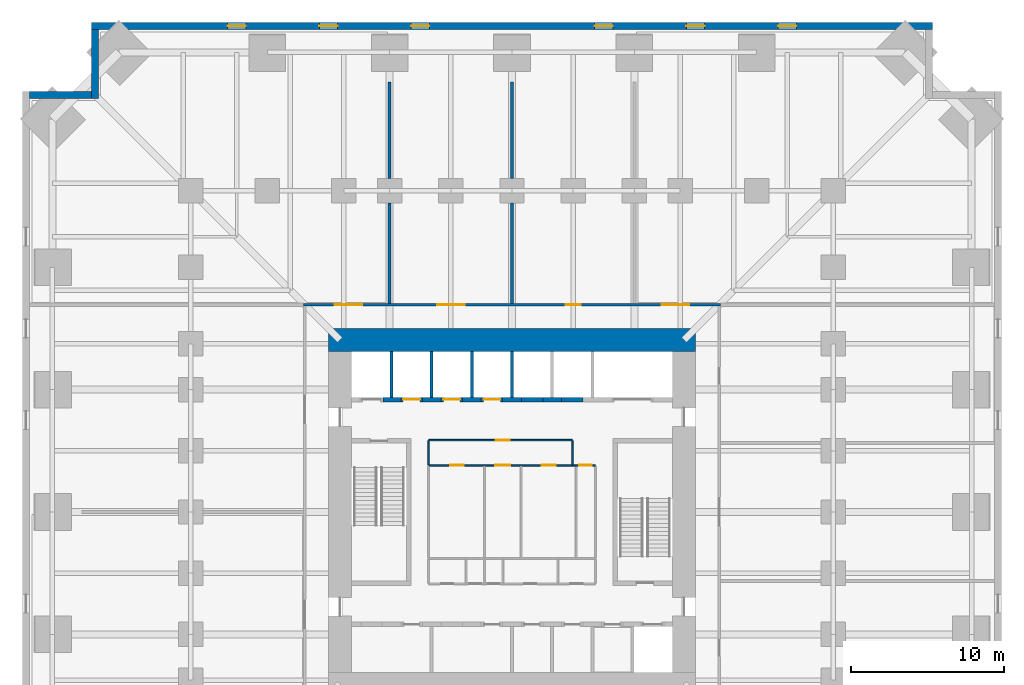
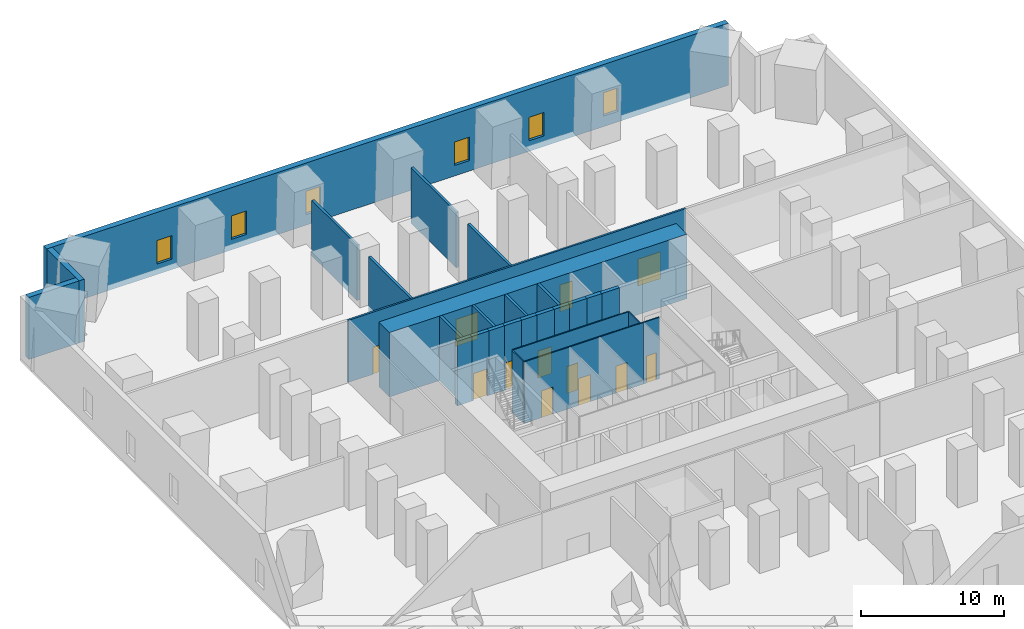
# One storey, part 6 of 8: 28 walls, 12 doors, 6 windows, 18 openings.
"""IFC4 building model written with IfcOpenShell, lengths in metres."""

import ifcopenshell
import ifcopenshell.guid

model = None  # the IFC model being written
_history = None  # IfcOwnerHistory: only IFC2X3 demands one
_inside = {}  # id of a spatial element -> (the spatial element, [elements in it])
_under = {}  # id of a project, library or spatial element -> (it, [spatial elements below it])
_declared = {}  # id of a project -> (the project, [libraries it declares])
_typed = {}  # id of a type object -> (the type object, [elements of that type])
_made_of = {}  # id of a material, layer set ... -> (it, [elements and type objects made of it])


def new_model(schema):
    """Start an empty IFC model of exactly this schema.

    Asked for "IFC4X3", IfcOpenShell would pick the latest addendum, in which some entities
    have other attributes; the version numbers below select the first issue.
    IFC2X3 requires an IfcOwnerHistory on every rooted entity: one is made here for all.
    """
    global model, _history
    if schema == "IFC4X3":
        model = ifcopenshell.file(schema_version=(4, 3, 0, 0))
    else:
        model = ifcopenshell.file(schema=schema)
    _inside.clear()
    _under.clear()
    _declared.clear()
    _typed.clear()
    _made_of.clear()
    _history = None
    if model.schema == "IFC2X3":
        org = make("IfcOrganization", Name="unknown")
        user = make(
            "IfcPersonAndOrganization",
            ThePerson=make("IfcPerson", FamilyName="unknown"),
            TheOrganization=org,
        )
        app = make(
            "IfcApplication",
            ApplicationDeveloper=org,
            Version="unknown",
            ApplicationFullName="unknown",
            ApplicationIdentifier="unknown",
        )
        _history = make(
            "IfcOwnerHistory",
            OwningUser=user,
            OwningApplication=app,
            ChangeAction="ADDED",
            CreationDate=0,
        )
    return model


def make(cls, **values):
    """One entity of the class cls with the attributes given. An attribute that is None is left unset."""
    return model.create_entity(
        cls, **{name: value for name, value in values.items() if value is not None}
    )


def rooted(cls, **values):
    """An entity with a GlobalId (a new one), such as an element, a storey or a relation."""
    return make(cls, GlobalId=ifcopenshell.guid.new(), OwnerHistory=_history, **values)


def si_unit(unit_type, name, prefix=None):
    """IfcSIUnit, for example si_unit("LENGTHUNIT", "METRE", prefix="MILLI")."""
    return make("IfcSIUnit", UnitType=unit_type, Prefix=prefix, Name=name)


def assignment(units):
    """IfcUnitAssignment: the units of a project."""
    return None if units is None else make("IfcUnitAssignment", Units=units)


def point(xyz):
    """IfcCartesianPoint."""
    return None if xyz is None else make("IfcCartesianPoint", Coordinates=xyz)


def direction(xyz):
    """IfcDirection."""
    return None if xyz is None else make("IfcDirection", DirectionRatios=xyz)


def frame(location, z_axis=None, x_axis=None):
    """IfcAxis2Placement3D, a coordinate frame: its origin and axes. An axis left out is left unset."""
    return make(
        "IfcAxis2Placement3D",
        Location=point(location),
        Axis=direction(z_axis),
        RefDirection=direction(x_axis),
    )


def frame_2d(location, x_axis=None):
    """IfcAxis2Placement2D, a coordinate frame in the plane: its origin and x axis."""
    return make(
        "IfcAxis2Placement2D", Location=point(location), RefDirection=direction(x_axis)
    )


def origin():
    """The frame at (0, 0, 0) with its axes left unset."""
    return frame((0.0, 0.0, 0.0))


def place(relative_to, where):
    """IfcLocalPlacement: puts the frame where relative to a parent placement (None: the world)."""
    return make(
        "IfcLocalPlacement", PlacementRelTo=relative_to, RelativePlacement=where
    )


def context(
    kind, dimensions, precision=None, world=None, true_north=None, identifier=None
):
    """IfcGeometricRepresentationContext, for example the 3D "Model" context."""
    return make(
        "IfcGeometricRepresentationContext",
        ContextIdentifier=identifier,
        ContextType=kind,
        CoordinateSpaceDimension=dimensions,
        Precision=precision,
        WorldCoordinateSystem=world,
        TrueNorth=true_north,
    )


def subcontext(parent, identifier, kind, view, scale=None):
    """IfcGeometricRepresentationSubContext, for example "Body" below "Model"."""
    return make(
        "IfcGeometricRepresentationSubContext",
        ContextIdentifier=identifier,
        ContextType=kind,
        ParentContext=parent,
        TargetScale=scale,
        TargetView=view,
    )


def project(units=None, contexts=None):
    """IfcProject with its units and contexts."""
    return rooted(
        "IfcProject",
        Name="project",
        RepresentationContexts=contexts,
        UnitsInContext=assignment(units),
    )


def spatial(cls, under=None, at=None, **own):
    """A site, building, storey or space (cls), placed at a placement, below another one or the project."""
    s = rooted(cls, ObjectPlacement=at, **own)
    if under is not None:
        _under.setdefault(under.id(), (under, []))[1].append(s)
    return s


def profile(cls, at=None, kind="AREA", **sizes):
    """A parametric profile (cls). Its sizes go by their IFC names, for example OverallWidth=200.0."""
    return make(cls, ProfileType=kind, Position=at, **sizes)


def rectangle(**sizes):
    """IfcRectangleProfileDef."""
    return profile("IfcRectangleProfileDef", **sizes)


def extrude(swept, where, along, depth):
    """IfcExtrudedAreaSolid: the profile swept, set in the frame where, extruded along a direction by depth."""
    return make(
        "IfcExtrudedAreaSolid",
        SweptArea=swept,
        Position=where,
        ExtrudedDirection=direction(along),
        Depth=depth,
    )


def shape(context_of_items, identifier, shape_type, items):
    """IfcShapeRepresentation: the items that make up one representation, for example the "Body"."""
    return make(
        "IfcShapeRepresentation",
        ContextOfItems=context_of_items,
        RepresentationIdentifier=identifier,
        RepresentationType=shape_type,
        Items=items,
    )


def material(Name=None, Category=None):
    """IfcMaterial."""
    return make("IfcMaterial", Name=Name, Category=Category)


def layer(
    of_material, thickness, ventilated=None, Name=None, Category=None, Priority=None
):
    """IfcMaterialLayer: one layer of a wall or slab, of a material (None: an air gap)."""
    return make(
        "IfcMaterialLayer",
        Material=of_material,
        LayerThickness=thickness,
        IsVentilated=ventilated,
        Name=Name,
        Category=Category,
        Priority=Priority,
    )


def layer_set(layers, Name=None):
    """IfcMaterialLayerSet."""
    return make("IfcMaterialLayerSet", MaterialLayers=layers, LayerSetName=Name)


def made_of(thing, what):
    """Note that an element or type object is made of a material, layer set ...; save() writes the relation."""
    if what is not None:
        _made_of.setdefault(what.id(), (what, []))[1].append(thing)
    return thing


def type_object(cls, material=None, **own):
    """A type object (cls), such as IfcWallType, which elements share."""
    return made_of(rooted(cls, **own), material)


def element(
    cls,
    number,
    at=None,
    inside=None,
    cuts=None,
    type_object=None,
    material=None,
    context=None,
    identifier="Body",
    shape_type=None,
    held_by="IfcProductDefinitionShape",
    body=None,
    shapes=None,
    **own,
):
    """One element of the class cls, such as IfcWall. Its Tag is "e" and its number.

    at: its placement. inside: the storey or other place that contains it. cuts: it is an
    opening in that element (IfcRelVoidsElement). A single representation is given by context,
    identifier, shape_type and body (its items); several are given by shapes. held_by: the class
    of the entity that holds the representations. save() writes the other relations.
    """
    e = rooted(cls, Tag="e%d" % number, ObjectPlacement=at, **own)
    if body is not None:
        shapes = [shape(context, identifier, shape_type, body)]
    if shapes is not None:
        e.Representation = make(held_by, Representations=shapes)
    if inside is not None:
        _inside.setdefault(inside.id(), (inside, []))[1].append(e)
    if cuts is not None:
        rooted(
            "IfcRelVoidsElement", RelatingBuildingElement=cuts, RelatedOpeningElement=e
        )
    if type_object is not None:
        _typed.setdefault(type_object.id(), (type_object, []))[1].append(e)
    return made_of(e, material)


def fill(opening, filler):
    """IfcRelFillsElement: the door or window that sits in an opening."""
    return rooted(
        "IfcRelFillsElement",
        RelatingOpeningElement=opening,
        RelatedBuildingElement=filler,
    )


def aggregate(whole, parts):
    """IfcRelAggregates: a whole, such as a stair, and the parts it consists of."""
    return rooted("IfcRelAggregates", RelatingObject=whole, RelatedObjects=parts)


def save(model, path):
    """Write the relations noted so far, then the file.

    IfcRelAggregates (storeys below a building ...), IfcRelContainedInSpatialStructure (elements
    in a storey), IfcRelDefinesByType, IfcRelAssociatesMaterial and IfcRelDeclares: one each for
    every whole, place, type object, material and project.
    """
    for whole, parts in _under.values():
        aggregate(whole, parts)
    for where, things in _inside.values():
        rooted(
            "IfcRelContainedInSpatialStructure",
            RelatedElements=things,
            RelatingStructure=where,
        )
    for kind, things in _typed.values():
        rooted("IfcRelDefinesByType", RelatedObjects=things, RelatingType=kind)
    for what, things in _made_of.values():
        rooted("IfcRelAssociatesMaterial", RelatedObjects=things, RelatingMaterial=what)
    for by, libraries in _declared.values():
        rooted("IfcRelDeclares", RelatingContext=by, RelatedDefinitions=libraries)
    model.write(path)


model = new_model("IFC4")

# Units and contexts
model_context = context("Model", 3, precision=1e-05, world=origin(), true_north=direction((0.0, 1.0)))
body_context = subcontext(model_context, "Body", "Model", "MODEL_VIEW")
ifc_project = project(units=[si_unit("LENGTHUNIT", "METRE"), si_unit("AREAUNIT", "SQUARE_METRE"), si_unit("VOLUMEUNIT", "CUBIC_METRE"), si_unit("PLANEANGLEUNIT", "RADIAN"), si_unit("MASSUNIT", "GRAM", prefix="KILO")], contexts=[model_context])

# Site, building, storey
site_placement = place(None, origin())
site = spatial("IfcSite", under=ifc_project, at=site_placement, CompositionType="ELEMENT")
building_placement = place(site_placement, origin())
building = spatial("IfcBuilding", under=site, at=building_placement, Name="Peilmerk Tower", CompositionType="ELEMENT")
storey_placement = place(building_placement, frame((0.0, 0.0, 21.0)))
storey = spatial("IfcBuildingStorey", under=building, at=storey_placement, Name="L04", CompositionType="ELEMENT", Elevation=21.0)

# Wall, openings, windows
ifc_material_1 = material(Name="Precast concrete C45/55, board-marked finish", Category="concrete")
ifc_layer_1 = layer(ifc_material_1, 0.449951171875)
ifc_layer_set_1 = layer_set([ifc_layer_1], Name="Precast concrete C45/55, board-marked finish")
wall_type_1 = type_object("IfcWallType", Name="EW1 450 precast concrete facade wall, board-marked", PredefinedType="SOLIDWALL", material=ifc_layer_set_1)
wall_1_placement = place(storey_placement, frame((27.5, 31.77490234375, 0.0), z_axis=(0.0, 0.0, 1.0), x_axis=(-1.0, 0.0, 0.0)))
wall_1 = element("IfcWall", 1, at=wall_1_placement, inside=storey, type_object=wall_type_1, Name="Facade wall N L04", PredefinedType="SOLIDWALL", context=body_context, shape_type="SweptSolid", body=[
    extrude(rectangle(XDim=55.0, YDim=0.449951171875, at=frame_2d((27.5, 0.0))), origin(), (0.0, 0.0, 1.0), 5.300048828125),
])
opening_1_placement = place(wall_1_placement, frame((8.89990234375, 0.0, 0.89990234375)))
opening_1 = element("IfcOpeningElement", 2, at=opening_1_placement, cuts=wall_1, Name="Opening W2", PredefinedType="OPENING", context=body_context, shape_type="SweptSolid", body=[
    extrude(rectangle(XDim=1.199951171875, YDim=2.0, at=frame_2d((0.60009765625, 1.0))), frame((0.0, 0.23486328125, 0.0), z_axis=(0.0, -1.0, 0.0), x_axis=(1.0, 0.0, 0.0)), (0.0, 0.0, 1.0), 0.469970703125),
])
opening_2_placement = place(wall_1_placement, frame((14.89990234375, 0.0, 0.89990234375)))
opening_2 = element("IfcOpeningElement", 3, at=opening_2_placement, cuts=wall_1, Name="Opening W2", PredefinedType="OPENING", context=body_context, shape_type="SweptSolid", body=[
    extrude(rectangle(XDim=1.199951171875, YDim=2.0, at=frame_2d((0.60009765625, 1.0))), frame((0.0, 0.23486328125, 0.0), z_axis=(0.0, -1.0, 0.0), x_axis=(1.0, 0.0, 0.0)), (0.0, 0.0, 1.0), 0.469970703125),
])
opening_3_placement = place(wall_1_placement, frame((20.89990234375, 0.0, 0.89990234375)))
opening_3 = element("IfcOpeningElement", 4, at=opening_3_placement, cuts=wall_1, Name="Opening W2", PredefinedType="OPENING", context=body_context, shape_type="SweptSolid", body=[
    extrude(rectangle(XDim=1.199951171875, YDim=2.0, at=frame_2d((0.60009765625, 1.0))), frame((0.0, 0.23486328125, 0.0), z_axis=(0.0, -1.0, 0.0), x_axis=(1.0, 0.0, 0.0)), (0.0, 0.0, 1.0), 0.469970703125),
])
opening_4_placement = place(wall_1_placement, frame((32.89990234375, 0.0, 0.89990234375)))
opening_4 = element("IfcOpeningElement", 5, at=opening_4_placement, cuts=wall_1, Name="Opening W2", PredefinedType="OPENING", context=body_context, shape_type="SweptSolid", body=[
    extrude(rectangle(XDim=1.199951171875, YDim=2.0, at=frame_2d((0.60009765625, 1.0))), frame((0.0, 0.23486328125, 0.0), z_axis=(0.0, -1.0, 0.0), x_axis=(1.0, 0.0, 0.0)), (0.0, 0.0, 1.0), 0.469970703125),
])
opening_5_placement = place(wall_1_placement, frame((38.89990234375, 0.0, 0.89990234375)))
opening_5 = element("IfcOpeningElement", 6, at=opening_5_placement, cuts=wall_1, Name="Opening W2", PredefinedType="OPENING", context=body_context, shape_type="SweptSolid", body=[
    extrude(rectangle(XDim=1.199951171875, YDim=2.0, at=frame_2d((0.60009765625, 1.0))), frame((0.0, 0.23486328125, 0.0), z_axis=(0.0, -1.0, 0.0), x_axis=(1.0, 0.0, 0.0)), (0.0, 0.0, 1.0), 0.469970703125),
])
opening_6_placement = place(wall_1_placement, frame((44.89990234375, 0.0, 0.89990234375)))
opening_6 = element("IfcOpeningElement", 7, at=opening_6_placement, cuts=wall_1, Name="Opening W2", PredefinedType="OPENING", context=body_context, shape_type="SweptSolid", body=[
    extrude(rectangle(XDim=1.199951171875, YDim=2.0, at=frame_2d((0.60009765625, 1.0))), frame((0.0, 0.23486328125, 0.0), z_axis=(0.0, -1.0, 0.0), x_axis=(1.0, 0.0, 0.0)), (0.0, 0.0, 1.0), 0.469970703125),
])
ifc_material_2 = material(Name="Aluminium frame, clear double glazing", Category="aluminium")
window_type = type_object("IfcWindowType", Name="W2 1200x2000 data hall slot window", PartitioningType="SINGLE_PANEL", PredefinedType="WINDOW", material=ifc_material_2)
window_1_placement = place(opening_1_placement, origin())
window_1 = element("IfcWindow", 8, at=window_1_placement, inside=storey, type_object=window_type, Name="Window W2 L04", OverallHeight=2.0, OverallWidth=1.199951171875, PartitioningType="SINGLE_PANEL", PredefinedType="WINDOW", context=body_context, shape_type="SweptSolid", body=[
    extrude(rectangle(XDim=1.199951171875, YDim=2.0, at=frame_2d((0.60009765625, 1.0))), frame((0.0, 0.030029296875, 0.0), z_axis=(0.0, -1.0, 0.0), x_axis=(1.0, 0.0, 0.0)), (0.0, 0.0, 1.0), 0.06005859375),
])
fill(opening_1, window_1)
window_2_placement = place(opening_2_placement, origin())
window_2 = element("IfcWindow", 9, at=window_2_placement, inside=storey, type_object=window_type, Name="Window W2 L04", OverallHeight=2.0, OverallWidth=1.199951171875, PartitioningType="SINGLE_PANEL", PredefinedType="WINDOW", context=body_context, shape_type="SweptSolid", body=[
    extrude(rectangle(XDim=1.199951171875, YDim=2.0, at=frame_2d((0.60009765625, 1.0))), frame((0.0, 0.030029296875, 0.0), z_axis=(0.0, -1.0, 0.0), x_axis=(1.0, 0.0, 0.0)), (0.0, 0.0, 1.0), 0.06005859375),
])
fill(opening_2, window_2)
window_3_placement = place(opening_3_placement, origin())
window_3 = element("IfcWindow", 10, at=window_3_placement, inside=storey, type_object=window_type, Name="Window W2 L04", OverallHeight=2.0, OverallWidth=1.199951171875, PartitioningType="SINGLE_PANEL", PredefinedType="WINDOW", context=body_context, shape_type="SweptSolid", body=[
    extrude(rectangle(XDim=1.199951171875, YDim=2.0, at=frame_2d((0.60009765625, 1.0))), frame((0.0, 0.030029296875, 0.0), z_axis=(0.0, -1.0, 0.0), x_axis=(1.0, 0.0, 0.0)), (0.0, 0.0, 1.0), 0.06005859375),
])
fill(opening_3, window_3)
window_4_placement = place(opening_4_placement, origin())
window_4 = element("IfcWindow", 11, at=window_4_placement, inside=storey, type_object=window_type, Name="Window W2 L04", OverallHeight=2.0, OverallWidth=1.199951171875, PartitioningType="SINGLE_PANEL", PredefinedType="WINDOW", context=body_context, shape_type="SweptSolid", body=[
    extrude(rectangle(XDim=1.199951171875, YDim=2.0, at=frame_2d((0.60009765625, 1.0))), frame((0.0, 0.030029296875, 0.0), z_axis=(0.0, -1.0, 0.0), x_axis=(1.0, 0.0, 0.0)), (0.0, 0.0, 1.0), 0.06005859375),
])
fill(opening_4, window_4)
window_5_placement = place(opening_5_placement, origin())
window_5 = element("IfcWindow", 12, at=window_5_placement, inside=storey, type_object=window_type, Name="Window W2 L04", OverallHeight=2.0, OverallWidth=1.199951171875, PartitioningType="SINGLE_PANEL", PredefinedType="WINDOW", context=body_context, shape_type="SweptSolid", body=[
    extrude(rectangle(XDim=1.199951171875, YDim=2.0, at=frame_2d((0.60009765625, 1.0))), frame((0.0, 0.030029296875, 0.0), z_axis=(0.0, -1.0, 0.0), x_axis=(1.0, 0.0, 0.0)), (0.0, 0.0, 1.0), 0.06005859375),
])
fill(opening_5, window_5)
window_6_placement = place(opening_6_placement, origin())
window_6 = element("IfcWindow", 13, at=window_6_placement, inside=storey, type_object=window_type, Name="Window W2 L04", OverallHeight=2.0, OverallWidth=1.199951171875, PartitioningType="SINGLE_PANEL", PredefinedType="WINDOW", context=body_context, shape_type="SweptSolid", body=[
    extrude(rectangle(XDim=1.199951171875, YDim=2.0, at=frame_2d((0.60009765625, 1.0))), frame((0.0, 0.030029296875, 0.0), z_axis=(0.0, -1.0, 0.0), x_axis=(1.0, 0.0, 0.0)), (0.0, 0.0, 1.0), 0.06005859375),
])
fill(opening_6, window_6)

# Walls
wall_2_placement = place(storey_placement, frame((-27.27490234375, 27.050048828125, 0.0), z_axis=(0.0, 0.0, 1.0), x_axis=(0.0, 1.0, 0.0)))
element("IfcWall", 14, at=wall_2_placement, inside=storey, type_object=wall_type_1, Name="Facade wall NWA L04", PredefinedType="SOLIDWALL", context=body_context, shape_type="SweptSolid", body=[
    extrude(rectangle(XDim=4.5, YDim=0.449951171875, at=frame_2d((2.25, 0.0))), origin(), (0.0, 0.0, 1.0), 5.300048828125),
])
wall_3_placement = place(storey_placement, frame((-27.5, 27.27490234375, 0.0), z_axis=(0.0, 0.0, 1.0), x_axis=(-1.0, 0.0, 0.0)))
element("IfcWall", 15, at=wall_3_placement, inside=storey, type_object=wall_type_1, Name="Facade wall NWB L04", PredefinedType="SOLIDWALL", context=body_context, shape_type="SweptSolid", body=[
    extrude(rectangle(XDim=4.050048828125, YDim=0.449951171875, at=frame_2d((2.02490234375, 0.0))), origin(), (0.0, 0.0, 1.0), 5.300048828125),
])

# Wall, openings, doors
ifc_material_3 = material(Name="Calcium silicate block", Category="masonry")
ifc_layer_2 = layer(ifc_material_3, 0.14990234375)
ifc_layer_set_2 = layer_set([ifc_layer_2], Name="Calcium silicate block")
wall_type_2 = type_object("IfcWallType", Name="IW1 150 corridor partition, EI 60", PredefinedType="PARTITIONING", material=ifc_layer_set_2)
wall_4_placement = place(storey_placement, frame((-13.625, 13.550048828125, 0.0), z_axis=(0.0, 0.0, 1.0), x_axis=(1.0, 0.0, 0.0)))
wall_4 = element("IfcWall", 16, at=wall_4_placement, inside=storey, type_object=wall_type_2, Name="Corridor wall N L04", PredefinedType="PARTITIONING", context=body_context, shape_type="SweptSolid", body=[
    extrude(rectangle(XDim=27.25, YDim=0.14990234375, at=frame_2d((13.625, 0.0))), origin(), (0.0, 0.0, 1.0), 5.300048828125),
])
opening_7_placement = place(wall_4_placement, frame((2.02490234375, 0.0, 0.0)))
opening_7 = element("IfcOpeningElement", 17, at=opening_7_placement, cuts=wall_4, Name="Opening D2", PredefinedType="OPENING", context=body_context, shape_type="SweptSolid", body=[
    extrude(rectangle(XDim=1.800048828125, YDim=2.300048828125, at=frame_2d((0.89990234375, 1.14990234375))), frame((0.0, 0.0849609375, 0.0), z_axis=(0.0, -1.0, 0.0), x_axis=(1.0, 0.0, 0.0)), (0.0, 0.0, 1.0), 0.169921875),
])
opening_8_placement = place(wall_4_placement, frame((8.72509765625, 0.0, 0.0)))
opening_8 = element("IfcOpeningElement", 18, at=opening_8_placement, cuts=wall_4, Name="Opening D2", PredefinedType="OPENING", context=body_context, shape_type="SweptSolid", body=[
    extrude(rectangle(XDim=1.800048828125, YDim=2.300048828125, at=frame_2d((0.89990234375, 1.14990234375))), frame((0.0, 0.0849609375, 0.0), z_axis=(0.0, -1.0, 0.0), x_axis=(1.0, 0.0, 0.0)), (0.0, 0.0, 1.0), 0.169921875),
])
opening_9_placement = place(wall_4_placement, frame((17.125, 0.0, 0.0)))
opening_9 = element("IfcOpeningElement", 19, at=opening_9_placement, cuts=wall_4, Name="Opening D1", PredefinedType="OPENING", context=body_context, shape_type="SweptSolid", body=[
    extrude(rectangle(XDim=1.0, YDim=2.300048828125, at=frame_2d((0.5, 1.14990234375))), frame((0.0, 0.0849609375, 0.0), z_axis=(0.0, -1.0, 0.0), x_axis=(1.0, 0.0, 0.0)), (0.0, 0.0, 1.0), 0.169921875),
])
opening_10_placement = place(wall_4_placement, frame((23.425048828125, 0.0, 0.0)))
opening_10 = element("IfcOpeningElement", 20, at=opening_10_placement, cuts=wall_4, Name="Opening D2", PredefinedType="OPENING", context=body_context, shape_type="SweptSolid", body=[
    extrude(rectangle(XDim=1.800048828125, YDim=2.300048828125, at=frame_2d((0.89990234375, 1.14990234375))), frame((0.0, 0.0849609375, 0.0), z_axis=(0.0, -1.0, 0.0), x_axis=(1.0, 0.0, 0.0)), (0.0, 0.0, 1.0), 0.169921875),
])
ifc_material_4 = material(Name="Timber door in steel frame", Category="steel")
door_type_1 = type_object("IfcDoorType", Name="D1 1000x2300 room door, EI2 30", OperationType="SINGLE_SWING_LEFT", PredefinedType="DOOR", material=ifc_material_4)
door_1_placement = place(opening_9_placement, origin())
door_1 = element("IfcDoor", 21, at=door_1_placement, inside=storey, type_object=door_type_1, Name="Door Staging room L04", OperationType="SINGLE_SWING_LEFT", OverallHeight=2.300048828125, OverallWidth=1.0, PredefinedType="DOOR", context=body_context, shape_type="SweptSolid", body=[
    extrude(rectangle(XDim=1.0, YDim=2.300048828125, at=frame_2d((0.5, 1.14990234375))), frame((0.0, 0.02490234375, 0.0), z_axis=(0.0, -1.0, 0.0), x_axis=(1.0, 0.0, 0.0)), (0.0, 0.0, 1.0), 0.050048828125),
])
fill(opening_9, door_1)
ifc_material_5 = material(Name="Steel door in steel frame", Category="steel")
door_type_2 = type_object("IfcDoorType", Name="D2 1800x2300 double door, EI2 60", OperationType="DOUBLE_DOOR_DOUBLE_SWING", PredefinedType="DOOR", material=ifc_material_5)
door_2_placement = place(opening_7_placement, origin())
door_2 = element("IfcDoor", 22, at=door_2_placement, inside=storey, type_object=door_type_2, Name="Door Computer room A1 L04", OperationType="DOUBLE_DOOR_DOUBLE_SWING", OverallHeight=2.300048828125, OverallWidth=1.800048828125, PredefinedType="DOOR", context=body_context, shape_type="SweptSolid", body=[
    extrude(rectangle(XDim=1.800048828125, YDim=2.300048828125, at=frame_2d((0.89990234375, 1.14990234375))), frame((0.0, 0.02490234375, 0.0), z_axis=(0.0, -1.0, 0.0), x_axis=(1.0, 0.0, 0.0)), (0.0, 0.0, 1.0), 0.050048828125),
])
fill(opening_7, door_2)
door_3_placement = place(opening_8_placement, origin())
door_3 = element("IfcDoor", 23, at=door_3_placement, inside=storey, type_object=door_type_2, Name="Door Build room L04", OperationType="DOUBLE_DOOR_DOUBLE_SWING", OverallHeight=2.300048828125, OverallWidth=1.800048828125, PredefinedType="DOOR", context=body_context, shape_type="SweptSolid", body=[
    extrude(rectangle(XDim=1.800048828125, YDim=2.300048828125, at=frame_2d((0.89990234375, 1.14990234375))), frame((0.0, 0.02490234375, 0.0), z_axis=(0.0, -1.0, 0.0), x_axis=(1.0, 0.0, 0.0)), (0.0, 0.0, 1.0), 0.050048828125),
])
fill(opening_8, door_3)
door_4_placement = place(opening_10_placement, origin())
door_4 = element("IfcDoor", 24, at=door_4_placement, inside=storey, type_object=door_type_2, Name="Door Computer room A2 L04", OperationType="DOUBLE_DOOR_DOUBLE_SWING", OverallHeight=2.300048828125, OverallWidth=1.800048828125, PredefinedType="DOOR", context=body_context, shape_type="SweptSolid", body=[
    extrude(rectangle(XDim=1.800048828125, YDim=2.300048828125, at=frame_2d((0.89990234375, 1.14990234375))), frame((0.0, 0.02490234375, 0.0), z_axis=(0.0, -1.0, 0.0), x_axis=(1.0, 0.0, 0.0)), (0.0, 0.0, 1.0), 0.050048828125),
])
fill(opening_10, door_4)

# Walls
ifc_layer_3 = layer(ifc_material_3, 0.199951171875)
ifc_layer_set_3 = layer_set([ifc_layer_3], Name="Calcium silicate block")
wall_type_3 = type_object("IfcWallType", Name="IW2 200 room separating wall, EI 120", PredefinedType="PARTITIONING", material=ifc_layer_set_3)
wall_5_placement = place(storey_placement, frame((-8.0, 13.625, 0.0), z_axis=(0.0, 0.0, 1.0), x_axis=(0.0, 1.0, 0.0)))
element("IfcWall", 25, at=wall_5_placement, inside=storey, type_object=wall_type_3, Name="Room separating wall N1 L04", PredefinedType="PARTITIONING", context=body_context, shape_type="SweptSolid", body=[
    extrude(rectangle(XDim=6.574951171875, YDim=0.199951171875, at=frame_2d((3.28759765625, 0.0))), origin(), (0.0, 0.0, 1.0), 4.73095703125),
])
wall_6_placement = place(storey_placement, frame((-8.0, 21.800048828125, 0.0), z_axis=(0.0, 0.0, 1.0), x_axis=(0.0, 1.0, 0.0)))
element("IfcWall", 26, at=wall_6_placement, inside=storey, type_object=wall_type_3, Name="Room separating wall N1b L04", PredefinedType="PARTITIONING", context=body_context, shape_type="SweptSolid", body=[
    extrude(rectangle(XDim=6.3310546875, YDim=0.199951171875, at=frame_2d((3.16552734375, 0.0))), origin(), (0.0, 0.0, 1.0), 4.73095703125),
])
wall_7_placement = place(storey_placement, frame((0.0, 13.625, 0.0), z_axis=(0.0, 0.0, 1.0), x_axis=(0.0, 1.0, 0.0)))
element("IfcWall", 27, at=wall_7_placement, inside=storey, type_object=wall_type_3, Name="Room separating wall N2 L04", PredefinedType="PARTITIONING", context=body_context, shape_type="SweptSolid", body=[
    extrude(rectangle(XDim=6.574951171875, YDim=0.199951171875, at=frame_2d((3.28759765625, 0.0))), origin(), (0.0, 0.0, 1.0), 4.73095703125),
])
wall_8_placement = place(storey_placement, frame((0.0, 21.800048828125, 0.0), z_axis=(0.0, 0.0, 1.0), x_axis=(0.0, 1.0, 0.0)))
element("IfcWall", 28, at=wall_8_placement, inside=storey, type_object=wall_type_3, Name="Room separating wall N2b L04", PredefinedType="PARTITIONING", context=body_context, shape_type="SweptSolid", body=[
    extrude(rectangle(XDim=6.3310546875, YDim=0.199951171875, at=frame_2d((3.16552734375, 0.0))), origin(), (0.0, 0.0, 1.0), 4.73095703125),
])

# Wall, openings, doors
ifc_material_6 = material(Name="Plasterboard on steel studs", Category="steel")
ifc_layer_4 = layer(ifc_material_6, 0.10009765625)
ifc_layer_set_4 = layer_set([ifc_layer_4], Name="Plasterboard on steel studs")
wall_type_4 = type_object("IfcWallType", Name="IW4 100 WC partition", PredefinedType="PARTITIONING", material=ifc_layer_set_4)
wall_9_placement = place(storey_placement, frame((-5.449951171875, 3.050048828125, 0.0), z_axis=(0.0, 0.0, 1.0), x_axis=(1.0, 0.0, 0.0)))
wall_9 = element("IfcWall", 29, at=wall_9_placement, inside=storey, type_object=wall_type_4, Name="WC wall L04", PredefinedType="PARTITIONING", context=body_context, shape_type="SweptSolid", body=[
    extrude(rectangle(XDim=9.599853515625, YDim=0.10009765625, at=frame_2d((4.7998046875, 0.0))), origin(), (0.0, 0.0, 1.0), 5.25),
])
opening_11_placement = place(wall_9_placement, frame((1.39990234375, 0.0, 0.0)))
opening_11 = element("IfcOpeningElement", 30, at=opening_11_placement, cuts=wall_9, Name="Opening D5", PredefinedType="OPENING", context=body_context, shape_type="SweptSolid", body=[
    extrude(rectangle(XDim=0.89990234375, YDim=2.300048828125, at=frame_2d((0.449951171875, 1.14990234375))), frame((0.0, 0.06005859375, 0.0), z_axis=(0.0, -1.0, 0.0), x_axis=(1.0, 0.0, 0.0)), (0.0, 0.0, 1.0), 0.1201171875),
])
opening_12_placement = place(wall_9_placement, frame((4.35009765625, 0.0, 0.0)))
opening_12 = element("IfcOpeningElement", 31, at=opening_12_placement, cuts=wall_9, Name="Opening D6", PredefinedType="OPENING", context=body_context, shape_type="SweptSolid", body=[
    extrude(rectangle(XDim=1.0, YDim=2.300048828125, at=frame_2d((0.5, 1.14990234375))), frame((0.0, 0.06005859375, 0.0), z_axis=(0.0, -1.0, 0.0), x_axis=(1.0, 0.0, 0.0)), (0.0, 0.0, 1.0), 0.1201171875),
])
opening_13_placement = place(wall_9_placement, frame((7.39990234375, 0.0, 0.0)))
opening_13 = element("IfcOpeningElement", 32, at=opening_13_placement, cuts=wall_9, Name="Opening D5", PredefinedType="OPENING", context=body_context, shape_type="SweptSolid", body=[
    extrude(rectangle(XDim=0.89990234375, YDim=2.300048828125, at=frame_2d((0.449951171875, 1.14990234375))), frame((0.0, 0.06005859375, 0.0), z_axis=(0.0, -1.0, 0.0), x_axis=(1.0, 0.0, 0.0)), (0.0, 0.0, 1.0), 0.1201171875),
])
door_type_3 = type_object("IfcDoorType", Name="D5 900x2300 WC door", OperationType="SINGLE_SWING_LEFT", PredefinedType="DOOR", material=ifc_material_4)
door_5_placement = place(opening_11_placement, frame((0.89990234375, 0.0, 0.0), z_axis=(0.0, 0.0, 1.0), x_axis=(-1.0, 0.0, 0.0)))
door_5 = element("IfcDoor", 33, at=door_5_placement, inside=storey, type_object=door_type_3, Name="Female toilets door L04", OperationType="SINGLE_SWING_LEFT", OverallHeight=2.300048828125, OverallWidth=0.89990234375, PredefinedType="DOOR", context=body_context, shape_type="SweptSolid", body=[
    extrude(rectangle(XDim=0.89990234375, YDim=2.300048828125, at=frame_2d((0.449951171875, 1.14990234375))), frame((0.0, 0.02490234375, 0.0), z_axis=(0.0, -1.0, 0.0), x_axis=(1.0, 0.0, 0.0)), (0.0, 0.0, 1.0), 0.050048828125),
])
fill(opening_11, door_5)
door_6_placement = place(opening_13_placement, frame((0.89990234375, 0.0, 0.0), z_axis=(0.0, 0.0, 1.0), x_axis=(-1.0, 0.0, 0.0)))
door_6 = element("IfcDoor", 34, at=door_6_placement, inside=storey, type_object=door_type_3, Name="Male toilets door L04", OperationType="SINGLE_SWING_LEFT", OverallHeight=2.300048828125, OverallWidth=0.89990234375, PredefinedType="DOOR", context=body_context, shape_type="SweptSolid", body=[
    extrude(rectangle(XDim=0.89990234375, YDim=2.300048828125, at=frame_2d((0.449951171875, 1.14990234375))), frame((0.0, 0.02490234375, 0.0), z_axis=(0.0, -1.0, 0.0), x_axis=(1.0, 0.0, 0.0)), (0.0, 0.0, 1.0), 0.050048828125),
])
fill(opening_13, door_6)
door_type_4 = type_object("IfcDoorType", Name="D6 1000x2300 accessible WC door", OperationType="SLIDING_TO_LEFT", PredefinedType="DOOR", material=ifc_material_4)
door_7_placement = place(opening_12_placement, frame((1.0, 0.0, 0.0), z_axis=(0.0, 0.0, 1.0), x_axis=(-1.0, 0.0, 0.0)))
door_7 = element("IfcDoor", 35, at=door_7_placement, inside=storey, type_object=door_type_4, Name="Accessible WC door L04", OperationType="SLIDING_TO_LEFT", OverallHeight=2.300048828125, OverallWidth=1.0, PredefinedType="DOOR", context=body_context, shape_type="SweptSolid", body=[
    extrude(rectangle(XDim=1.0, YDim=2.300048828125, at=frame_2d((0.5, 1.14990234375))), frame((0.0, 0.02490234375, 0.0), z_axis=(0.0, -1.0, 0.0), x_axis=(1.0, 0.0, 0.0)), (0.0, 0.0, 1.0), 0.050048828125),
])
fill(opening_12, door_7)

# Wall, opening, door
ifc_material_7 = material(Name="Calcium silicate board on steel studs", Category="steel")
ifc_layer_5 = layer(ifc_material_7, 0.10009765625)
ifc_layer_set_5 = layer_set([ifc_layer_5], Name="Calcium silicate board on steel studs")
wall_type_5 = type_object("IfcWallType", Name="IW5 100 riser enclosure wall, EI 60", PredefinedType="PARTITIONING", material=ifc_layer_set_5)
wall_10_placement = place(storey_placement, frame((4.14990234375, 3.050048828125, 0.0), z_axis=(0.0, 0.0, 1.0), x_axis=(1.0, 0.0, 0.0)))
wall_10 = element("IfcWall", 36, at=wall_10_placement, inside=storey, type_object=wall_type_5, Name="Riser wall L04", PredefinedType="PARTITIONING", context=body_context, shape_type="SweptSolid", body=[
    extrude(rectangle(XDim=1.300048828125, YDim=0.10009765625, at=frame_2d((0.64990234375, 0.0))), origin(), (0.0, 0.0, 1.0), 5.25),
])
opening_14_placement = place(wall_10_placement, frame((0.25, 0.0, 0.0)))
opening_14 = element("IfcOpeningElement", 37, at=opening_14_placement, cuts=wall_10, Name="Opening D7", PredefinedType="OPENING", context=body_context, shape_type="SweptSolid", body=[
    extrude(rectangle(XDim=0.800048828125, YDim=2.300048828125, at=frame_2d((0.39990234375, 1.14990234375))), frame((0.0, 0.06005859375, 0.0), z_axis=(0.0, -1.0, 0.0), x_axis=(1.0, 0.0, 0.0)), (0.0, 0.0, 1.0), 0.1201171875),
])
door_type_5 = type_object("IfcDoorType", Name="D7 800x2300 riser access door, EI2 60", OperationType="SINGLE_SWING_RIGHT", PredefinedType="DOOR", material=ifc_material_5)
door_8_placement = place(opening_14_placement, frame((0.800048828125, 0.0, 0.0), z_axis=(0.0, 0.0, 1.0), x_axis=(-1.0, 0.0, 0.0)))
door_8 = element("IfcDoor", 38, at=door_8_placement, inside=storey, type_object=door_type_5, Name="Plumbing riser door L04", OperationType="SINGLE_SWING_RIGHT", OverallHeight=2.300048828125, OverallWidth=0.800048828125, PredefinedType="DOOR", context=body_context, shape_type="SweptSolid", body=[
    extrude(rectangle(XDim=0.800048828125, YDim=2.300048828125, at=frame_2d((0.39990234375, 1.14990234375))), frame((0.0, 0.02490234375, 0.0), z_axis=(0.0, -1.0, 0.0), x_axis=(1.0, 0.0, 0.0)), (0.0, 0.0, 1.0), 0.050048828125),
])
fill(opening_14, door_8)

ifc_material_8 = material(Name="Fire-resisting plasterboard on steel studs", Category="steel")
ifc_layer_6 = layer(ifc_material_8, 0.10009765625)
ifc_layer_set_6 = layer_set([ifc_layer_6], Name="Fire-resisting plasterboard on steel studs")
wall_type_6 = type_object("IfcWallType", Name="IW9 100 WC lobby wall, EI 30", PredefinedType="PARTITIONING", material=ifc_layer_set_6)
wall_11_placement = place(storey_placement, frame((-5.449951171875, 4.699951171875, 0.0), z_axis=(0.0, 0.0, 1.0), x_axis=(1.0, 0.0, 0.0)))
wall_11 = element("IfcWall", 39, at=wall_11_placement, inside=storey, type_object=wall_type_6, Name="WC lobby wall L04", PredefinedType="PARTITIONING", context=body_context, shape_type="SweptSolid", body=[
    extrude(rectangle(XDim=9.39990234375, YDim=0.10009765625, at=frame_2d((4.699951171875, 0.0))), origin(), (0.0, 0.0, 1.0), 5.25),
])
opening_15_placement = place(wall_11_placement, frame((4.39990234375, 0.0, 0.0)))
opening_15 = element("IfcOpeningElement", 40, at=opening_15_placement, cuts=wall_11, Name="Opening D11", PredefinedType="OPENING", context=body_context, shape_type="SweptSolid", body=[
    extrude(rectangle(XDim=0.89990234375, YDim=2.300048828125, at=frame_2d((0.449951171875, 1.14990234375))), frame((0.0, 0.06005859375, 0.0), z_axis=(0.0, -1.0, 0.0), x_axis=(1.0, 0.0, 0.0)), (0.0, 0.0, 1.0), 0.1201171875),
])
door_type_6 = type_object("IfcDoorType", Name="D11 900x2300 WC lobby door, EI2 30", OperationType="SINGLE_SWING_LEFT", PredefinedType="DOOR", material=ifc_material_4)
door_9_placement = place(opening_15_placement, frame((0.89990234375, 0.0, 0.0), z_axis=(0.0, 0.0, 1.0), x_axis=(-1.0, 0.0, 0.0)))
door_9 = element("IfcDoor", 41, at=door_9_placement, inside=storey, type_object=door_type_6, Name="WC lobby door L04", OperationType="SINGLE_SWING_LEFT", OverallHeight=2.300048828125, OverallWidth=0.89990234375, PredefinedType="DOOR", context=body_context, shape_type="SweptSolid", body=[
    extrude(rectangle(XDim=0.89990234375, YDim=2.300048828125, at=frame_2d((0.449951171875, 1.14990234375))), frame((0.0, 0.02490234375, 0.0), z_axis=(0.0, -1.0, 0.0), x_axis=(1.0, 0.0, 0.0)), (0.0, 0.0, 1.0), 0.050048828125),
])
fill(opening_15, door_9)

# Walls
for number, where, z_axis, x_axis, name in (
    (42, (-5.449951171875, 3.10009765625, 0.0), (0.0, 0.0, 1.0), (0.0, 1.0, 0.0), "WC lobby wall L04"),
    (43, (3.949951171875, 3.10009765625, 0.0), (0.0, 0.0, 1.0), (0.0, 1.0, 0.0), "WC lobby wall L04"),
):
    element("IfcWall", number, at=place(storey_placement, frame(where, z_axis=z_axis, x_axis=x_axis)), inside=storey, type_object=wall_type_6, Name=name, PredefinedType="PARTITIONING", context=body_context, shape_type="SweptSolid", body=[
        extrude(rectangle(XDim=1.5498046875, YDim=0.10009765625, at=frame_2d((0.77490234375, 0.0))), origin(), (0.0, 0.0, 1.0), 5.25),
    ])
ifc_layer_7 = layer(ifc_material_3, 0.199951171875)
ifc_layer_set_7 = layer_set([ifc_layer_7], Name="Calcium silicate block")
wall_type_7 = type_object("IfcWallType", Name="SH1 200 shaft dividing wall, EI 120", PredefinedType="PARTITIONING", material=ifc_layer_set_7)
for number, where, z_axis, x_axis, name in (
    (44, (-7.875, 7.5, 0.0), (0.0, 0.0, 1.0), (0.0, 1.0, 0.0), "Shaft wall N FL1 L04"),
    (45, (-5.25, 7.5, 0.0), (0.0, 0.0, 1.0), (0.0, 1.0, 0.0), "Shaft wall N A1 L04"),
    (46, (-2.625, 7.5, 0.0), (0.0, 0.0, 1.0), (0.0, 1.0, 0.0), "Shaft wall N A2 L04"),
    (47, (0.0, 7.5, 0.0), (0.0, 0.0, 1.0), (0.0, 1.0, 0.0), "Shaft wall N A3 L04"),
):
    element("IfcWall", number, at=place(storey_placement, frame(where, z_axis=z_axis, x_axis=x_axis)), inside=storey, type_object=wall_type_7, Name=name, PredefinedType="PARTITIONING", context=body_context, shape_type="SweptSolid", body=[
        extrude(rectangle(XDim=3.0, YDim=0.199951171875, at=frame_2d((1.5, 0.0))), origin(), (0.0, 0.0, 1.0), 5.5),
    ])

# Wall, opening, door
ifc_layer_8 = layer(ifc_material_3, 0.300048828125)
ifc_layer_set_8 = layer_set([ifc_layer_8], Name="Calcium silicate block")
wall_type_8 = type_object("IfcWallType", Name="SH2 300 lift landing door panel, EI 120", PredefinedType="PARTITIONING", material=ifc_layer_set_8)
wall_12_placement = place(storey_placement, frame((-7.262451171875, 7.35009765625, 0.0), z_axis=(0.0, 0.0, 1.0), x_axis=(1.0, 0.0, 0.0)))
wall_12 = element("IfcWall", 48, at=wall_12_placement, inside=storey, type_object=wall_type_8, Name="Lift door panel N A1 L04", PredefinedType="PARTITIONING", context=body_context, shape_type="SweptSolid", body=[
    extrude(rectangle(XDim=1.39990234375, YDim=0.300048828125, at=frame_2d((0.699951171875, 0.0))), origin(), (0.0, 0.0, 1.0), 5.5),
])
opening_16_placement = place(wall_12_placement, frame((0.14990234375, 0.0, 0.0)))
opening_16 = element("IfcOpeningElement", 49, at=opening_16_placement, cuts=wall_12, Name="Opening LD1", PredefinedType="OPENING", context=body_context, shape_type="SweptSolid", body=[
    extrude(rectangle(XDim=1.10009765625, YDim=2.300048828125, at=frame_2d((0.550048828125, 1.14990234375))), frame((0.0, 0.159912109375, 0.0), z_axis=(0.0, -1.0, 0.0), x_axis=(1.0, 0.0, 0.0)), (0.0, 0.0, 1.0), 0.320068359375),
])
ifc_material_9 = material(Name="Stainless steel landing door", Category="steel")
door_type_7 = type_object("IfcDoorType", Name="LD1 1100x2300 lift landing door, sliding, EI2 60", OperationType="SLIDING_TO_LEFT", PredefinedType="DOOR", material=ifc_material_9)
door_10_placement = place(opening_16_placement, frame((1.10009765625, 0.0, 0.0), z_axis=(0.0, 0.0, 1.0), x_axis=(-1.0, 0.0, 0.0)))
door_10 = element("IfcDoor", 50, at=door_10_placement, inside=storey, type_object=door_type_7, Name="Lift landing door A1 L04", OperationType="SLIDING_TO_LEFT", OverallHeight=2.300048828125, OverallWidth=1.10009765625, PredefinedType="DOOR", context=body_context, shape_type="SweptSolid", body=[
    extrude(rectangle(XDim=1.10009765625, YDim=2.300048828125, at=frame_2d((0.550048828125, 1.14990234375))), frame((0.0, 0.02490234375, 0.0), z_axis=(0.0, -1.0, 0.0), x_axis=(1.0, 0.0, 0.0)), (0.0, 0.0, 1.0), 0.050048828125),
])
fill(opening_16, door_10)

wall_13_placement = place(storey_placement, frame((-4.637451171875, 7.35009765625, 0.0), z_axis=(0.0, 0.0, 1.0), x_axis=(1.0, 0.0, 0.0)))
wall_13 = element("IfcWall", 51, at=wall_13_placement, inside=storey, type_object=wall_type_8, Name="Lift door panel N A2 L04", PredefinedType="PARTITIONING", context=body_context, shape_type="SweptSolid", body=[
    extrude(rectangle(XDim=1.39990234375, YDim=0.300048828125, at=frame_2d((0.699951171875, 0.0))), origin(), (0.0, 0.0, 1.0), 5.5),
])
opening_17_placement = place(wall_13_placement, frame((0.14990234375, 0.0, 0.0)))
opening_17 = element("IfcOpeningElement", 52, at=opening_17_placement, cuts=wall_13, Name="Opening LD1", PredefinedType="OPENING", context=body_context, shape_type="SweptSolid", body=[
    extrude(rectangle(XDim=1.10009765625, YDim=2.300048828125, at=frame_2d((0.550048828125, 1.14990234375))), frame((0.0, 0.159912109375, 0.0), z_axis=(0.0, -1.0, 0.0), x_axis=(1.0, 0.0, 0.0)), (0.0, 0.0, 1.0), 0.320068359375),
])
door_11_placement = place(opening_17_placement, frame((1.10009765625, 0.0, 0.0), z_axis=(0.0, 0.0, 1.0), x_axis=(-1.0, 0.0, 0.0)))
door_11 = element("IfcDoor", 53, at=door_11_placement, inside=storey, type_object=door_type_7, Name="Lift landing door A2 L04", OperationType="SLIDING_TO_LEFT", OverallHeight=2.300048828125, OverallWidth=1.10009765625, PredefinedType="DOOR", context=body_context, shape_type="SweptSolid", body=[
    extrude(rectangle(XDim=1.10009765625, YDim=2.300048828125, at=frame_2d((0.550048828125, 1.14990234375))), frame((0.0, 0.02490234375, 0.0), z_axis=(0.0, -1.0, 0.0), x_axis=(1.0, 0.0, 0.0)), (0.0, 0.0, 1.0), 0.050048828125),
])
fill(opening_17, door_11)

wall_14_placement = place(storey_placement, frame((-2.012451171875, 7.35009765625, 0.0), z_axis=(0.0, 0.0, 1.0), x_axis=(1.0, 0.0, 0.0)))
wall_14 = element("IfcWall", 54, at=wall_14_placement, inside=storey, type_object=wall_type_8, Name="Lift door panel N A3 L04", PredefinedType="PARTITIONING", context=body_context, shape_type="SweptSolid", body=[
    extrude(rectangle(XDim=1.39990234375, YDim=0.300048828125, at=frame_2d((0.699951171875, 0.0))), origin(), (0.0, 0.0, 1.0), 5.5),
])
opening_18_placement = place(wall_14_placement, frame((0.14990234375, 0.0, 0.0)))
opening_18 = element("IfcOpeningElement", 55, at=opening_18_placement, cuts=wall_14, Name="Opening LD1", PredefinedType="OPENING", context=body_context, shape_type="SweptSolid", body=[
    extrude(rectangle(XDim=1.10009765625, YDim=2.300048828125, at=frame_2d((0.550048828125, 1.14990234375))), frame((0.0, 0.159912109375, 0.0), z_axis=(0.0, -1.0, 0.0), x_axis=(1.0, 0.0, 0.0)), (0.0, 0.0, 1.0), 0.320068359375),
])
door_12_placement = place(opening_18_placement, frame((1.10009765625, 0.0, 0.0), z_axis=(0.0, 0.0, 1.0), x_axis=(-1.0, 0.0, 0.0)))
door_12 = element("IfcDoor", 56, at=door_12_placement, inside=storey, type_object=door_type_7, Name="Lift landing door A3 L04", OperationType="SLIDING_TO_LEFT", OverallHeight=2.300048828125, OverallWidth=1.10009765625, PredefinedType="DOOR", context=body_context, shape_type="SweptSolid", body=[
    extrude(rectangle(XDim=1.10009765625, YDim=2.300048828125, at=frame_2d((0.550048828125, 1.14990234375))), frame((0.0, 0.02490234375, 0.0), z_axis=(0.0, -1.0, 0.0), x_axis=(1.0, 0.0, 0.0)), (0.0, 0.0, 1.0), 0.050048828125),
])
fill(opening_18, door_12)

# Walls
for number, where, z_axis, x_axis, name in (
    (57, (0.612548828125, 7.35009765625, 0.0), (0.0, 0.0, 1.0), (1.0, 0.0, 0.0), "Lift door panel N S1 L04"),
    (58, (3.237548828125, 7.35009765625, 0.0), (0.0, 0.0, 1.0), (1.0, 0.0, 0.0), "Lift door panel N S2 L04"),
):
    element("IfcWall", number, at=place(storey_placement, frame(where, z_axis=z_axis, x_axis=x_axis)), inside=storey, type_object=wall_type_8, Name=name, PredefinedType="PARTITIONING", context=body_context, shape_type="SweptSolid", body=[
        extrude(rectangle(XDim=1.39990234375, YDim=0.300048828125, at=frame_2d((0.699951171875, 0.0))), origin(), (0.0, 0.0, 1.0), 5.5),
    ])
ifc_material_10 = material(Name="Concrete C55/67", Category="concrete")
ifc_layer_9 = layer(ifc_material_10, 1.5)
ifc_layer_set_9 = layer_set([ifc_layer_9], Name="Concrete C55/67")
wall_type_9 = type_object("IfcWallType", Name="SW1 1500 core wall", PredefinedType="SHEAR", material=ifc_layer_set_9)
wall_15_placement = place(storey_placement, frame((-12.0, 11.25, 0.0), z_axis=(0.0, 0.0, 1.0), x_axis=(1.0, 0.0, 0.0)))
element("IfcWall", 59, at=wall_15_placement, inside=storey, type_object=wall_type_9, Name="Core wall N L04", PredefinedType="SHEAR", context=body_context, shape_type="SweptSolid", body=[
    extrude(rectangle(XDim=24.0, YDim=1.5, at=frame_2d((12.0, 0.0))), origin(), (0.0, 0.0, 1.0), 5.5),
])
ifc_layer_10 = layer(ifc_material_10, 0.300048828125)
ifc_layer_set_10 = layer_set([ifc_layer_10], Name="Concrete C55/67")
wall_type_10 = type_object("IfcWallType", Name="SW2 300 lift bank pier", PredefinedType="SHEAR", material=ifc_layer_set_10)
wall_16_placement = place(storey_placement, frame((-8.4375, 7.35009765625, 0.0), z_axis=(0.0, 0.0, 1.0), x_axis=(1.0, 0.0, 0.0)))
element("IfcWall", 60, at=wall_16_placement, inside=storey, type_object=wall_type_10, Name="Lift bank pier N L04", PredefinedType="SHEAR", context=body_context, shape_type="SweptSolid", body=[
    extrude(rectangle(XDim=1.175048828125, YDim=0.300048828125, at=frame_2d((0.58740234375, 0.0))), origin(), (0.0, 0.0, 1.0), 5.5),
])
for number, where, z_axis, x_axis, name in (
    (61, (-5.862548828125, 7.35009765625, 0.0), (0.0, 0.0, 1.0), (1.0, 0.0, 0.0), "Lift bank pier N L04"),
    (62, (-3.237548828125, 7.35009765625, 0.0), (0.0, 0.0, 1.0), (1.0, 0.0, 0.0), "Lift bank pier N L04"),
    (63, (-0.612548828125, 7.35009765625, 0.0), (0.0, 0.0, 1.0), (1.0, 0.0, 0.0), "Lift bank pier N L04"),
    (64, (2.012451171875, 7.35009765625, 0.0), (0.0, 0.0, 1.0), (1.0, 0.0, 0.0), "Lift bank pier N L04"),
):
    element("IfcWall", number, at=place(storey_placement, frame(where, z_axis=z_axis, x_axis=x_axis)), inside=storey, type_object=wall_type_10, Name=name, PredefinedType="SHEAR", context=body_context, shape_type="SweptSolid", body=[
        extrude(rectangle(XDim=1.22509765625, YDim=0.300048828125, at=frame_2d((0.612548828125, 0.0))), origin(), (0.0, 0.0, 1.0), 5.5),
    ])

save(model, "model.ifc")
